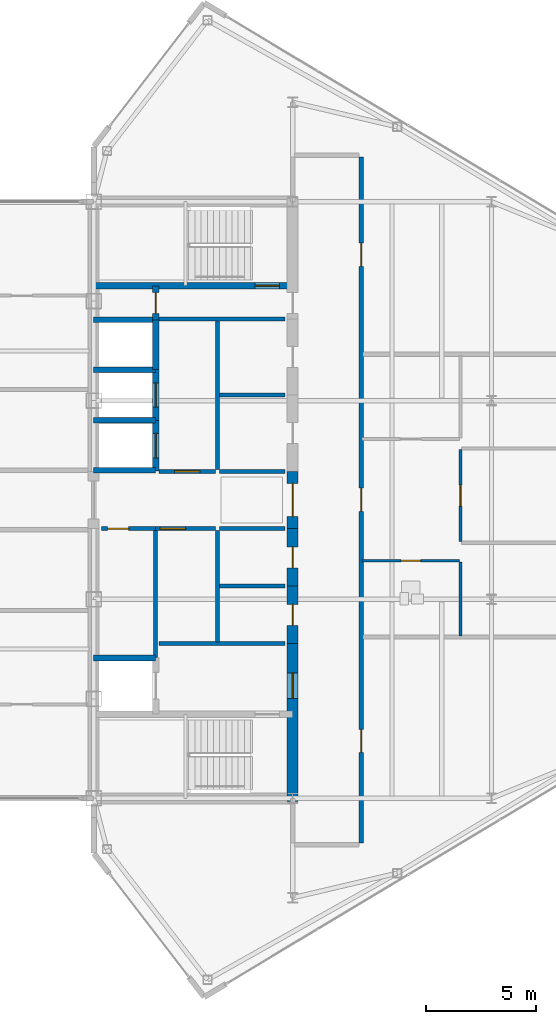
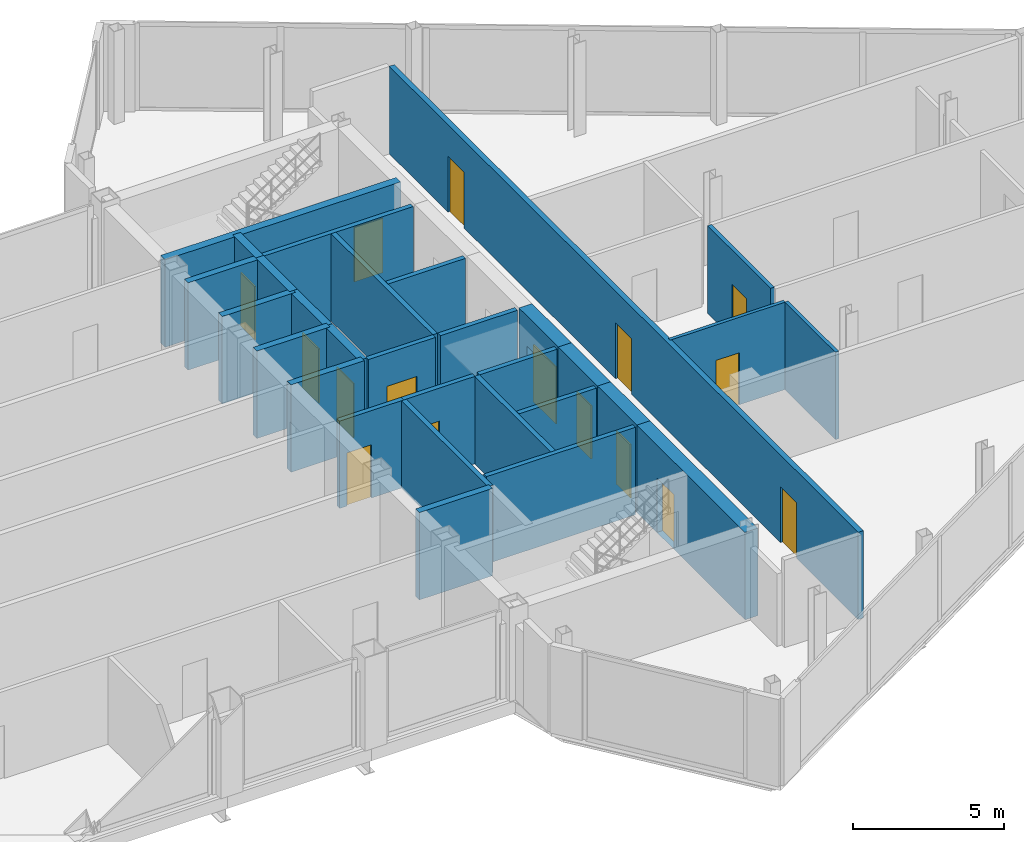
# One storey, part 25 of 29: 30 walls, 16 doors, 16 openings.
"""IFC4 building model written with IfcOpenShell, lengths in metres."""

from ifc_helpers import new_model, si_unit, direction, frame, frame_2d, origin, place, context, subcontext, project, spatial, rectangle, extrude, source, transform, mapped, material, layer, layer_set, type_object, type_shapes, element, fill, save


model = new_model("IFC4")

# Units and contexts
model_context = context("Model", 3, precision=1e-05, world=origin(), true_north=direction((0.0, 1.0)))
body_context = subcontext(model_context, "Body", "Model", "MODEL_VIEW")
ifc_project = project(units=[si_unit("LENGTHUNIT", "METRE"), si_unit("AREAUNIT", "SQUARE_METRE"), si_unit("VOLUMEUNIT", "CUBIC_METRE"), si_unit("PLANEANGLEUNIT", "RADIAN"), si_unit("MASSUNIT", "GRAM", prefix="KILO")], contexts=[model_context])

# Site, building, storey
site_placement = place(None, origin())
site = spatial("IfcSite", under=ifc_project, at=site_placement, CompositionType="ELEMENT")
building_placement = place(site_placement, origin())
building = spatial("IfcBuilding", under=site, at=building_placement, Name="Seokmaru Belvedere", CompositionType="ELEMENT")
storey_placement = place(building_placement, frame((0.0, 0.0, 243.14990234375)))
storey = spatial("IfcBuildingStorey", under=building, at=storey_placement, Name="L64", CompositionType="ELEMENT", Elevation=243.14990234375)

# Wall, opening, door
ifc_material_1 = material(Name="Fire-Rated Gypsum Shaftwall")
ifc_layer_1 = layer(ifc_material_1, 0.14990234375)
ifc_layer_set_1 = layer_set([ifc_layer_1], Name="Fire-Rated Gypsum Shaftwall")
wall_type_1 = type_object("IfcWallType", Name="Apartment Fire-Acoustic Room Partition 150", PredefinedType="PARTITIONING", material=ifc_layer_set_1)
wall_1_placement = place(storey_placement, frame((44.10009765625, -1.883056640625, 0.0), z_axis=(0.0, 0.0, 1.0), x_axis=(0.0, 1.0, 0.0)))
wall_1 = element("IfcWall", 1, at=wall_1_placement, inside=storey, type_object=wall_type_1, Name="L64 Interior Partition 060", PredefinedType="PARTITIONING", context=body_context, shape_type="SweptSolid", body=[
    extrude(rectangle(XDim=4.166015625, YDim=0.14990234375, at=frame_2d((2.0830078125, 0.0))), origin(), (0.0, 0.0, 1.0), 3.530029296875),
])
opening_1_placement = place(wall_1_placement, frame((1.60791015625, 0.0, 0.0)))
opening_1 = element("IfcOpeningElement", 2, at=opening_1_placement, cuts=wall_1, Name="Opening D05", PredefinedType="OPENING", context=body_context, shape_type="SweptSolid", body=[
    extrude(rectangle(XDim=0.949951171875, YDim=2.14990234375, at=frame_2d((0.47509765625, 1.074951171875))), frame((0.0, 0.0849609375, 0.0), z_axis=(0.0, -1.0, 0.0), x_axis=(1.0, 0.0, 0.0)), (0.0, 0.0, 1.0), 0.169921875),
])
ifc_material_2 = material(Name="Engineered White Oak Timber", Category="wood")
door_type_1 = type_object("IfcDoorType", Name="Apartment Interior Fire-Rated Oak Door 950x2150", OperationType="NOTDEFINED", PredefinedType="DOOR", material=ifc_material_2)
shared_shape_1 = source(origin(), body_context, "Body", "SweptSolid", [
    extrude(rectangle(XDim=0.949951171875, YDim=2.14990234375, at=frame_2d((0.47509765625, 1.074951171875))), frame((0.0, 0.02490234375, 0.0), z_axis=(0.0, -1.0, 0.0), x_axis=(1.0, 0.0, 0.0)), (0.0, 0.0, 1.0), 0.050048828125),
])
type_shapes(door_type_1, [shared_shape_1])
door_1_placement = place(opening_1_placement, origin())
door_1 = element("IfcDoor", 3, at=door_1_placement, inside=storey, type_object=door_type_1, Name="L64 Interior Door 016", OperationType="SINGLE_SWING_LEFT", OverallHeight=2.14990234375, OverallWidth=0.949951171875, PredefinedType="DOOR", context=body_context, shape_type="MappedRepresentation", body=[
    mapped(shared_shape_1, transform((0.0, 0.0, 0.0), scale=1.0)),
])
fill(opening_1, door_1)

# Walls
ifc_layer_2 = layer(ifc_material_1, 0.179931640625)
ifc_layer_set_2 = layer_set([ifc_layer_2], Name="Fire-Rated Gypsum Shaftwall")
wall_type_2 = type_object("IfcWallType", Name="Core Service Fire Partition 180", PredefinedType="PARTITIONING", material=ifc_layer_set_2)
for number, where, z_axis, x_axis, name in (
    (4, (30.449951171875, -6.5, 0.0), (0.0, 0.0, 1.0), (1.0, 0.0, 0.0), "L64 East Firefighting Lobby Partition"),
    (5, (30.449951171875, 8.199951171875, 0.0), (0.0, 0.0, 1.0), (1.0, 0.0, 0.0), "L64 East Smokeproof Vestibule Partition"),
):
    element("IfcWall", number, at=place(storey_placement, frame(where, z_axis=z_axis, x_axis=x_axis)), inside=storey, type_object=wall_type_2, Name=name, PredefinedType="PARTITIONING", context=body_context, shape_type="SweptSolid", body=[
        extrude(rectangle(XDim=5.699951171875, YDim=0.179931640625, at=frame_2d((2.85009765625, 0.0))), origin(), (0.0, 0.0, 1.0), 3.530029296875),
    ])
wall_2_placement = place(storey_placement, frame((33.10009765625, -6.419921875, 0.0), z_axis=(0.0, 0.0, 1.0), x_axis=(0.0, 1.0, 0.0)))
element("IfcWall", 6, at=wall_2_placement, inside=storey, type_object=wall_type_2, Name="L64 East South Core Service Back Wall", PredefinedType="PARTITIONING", context=body_context, shape_type="SweptSolid", body=[
    extrude(rectangle(XDim=5.0400390625, YDim=0.179931640625, at=frame_2d((2.52001953125, 0.0))), origin(), (0.0, 0.0, 1.0), 3.530029296875),
])
wall_3_placement = place(storey_placement, frame((33.10009765625, 1.3798828125, 0.0), z_axis=(0.0, 0.0, 1.0), x_axis=(0.0, 1.0, 0.0)))
element("IfcWall", 7, at=wall_3_placement, inside=storey, type_object=wall_type_2, Name="L64 East North Core Service Back Wall", PredefinedType="PARTITIONING", context=body_context, shape_type="SweptSolid", body=[
    extrude(rectangle(XDim=6.740234375, YDim=0.179931640625, at=frame_2d((3.3701171875, 0.0))), origin(), (0.0, 0.0, 1.0), 3.530029296875),
])

# Wall, opening, door
wall_4_placement = place(storey_placement, frame((27.85009765625, -1.300048828125, 0.0), z_axis=(0.0, 0.0, 1.0), x_axis=(1.0, 0.0, 0.0)))
wall_4 = element("IfcWall", 8, at=wall_4_placement, inside=storey, type_object=wall_type_2, Name="L64 East South Parcel Vault Foyer Wall", PredefinedType="PARTITIONING", context=body_context, shape_type="SweptSolid", body=[
    extrude(rectangle(XDim=2.449951171875, YDim=0.179931640625, at=frame_2d((1.22509765625, 0.0))), origin(), (0.0, 0.0, 1.0), 3.530029296875),
])
opening_2_placement = place(wall_4_placement, frame((0.27490234375, 0.0, 0.0)))
opening_2 = element("IfcOpeningElement", 9, at=opening_2_placement, cuts=wall_4, Name="Opening D04", PredefinedType="OPENING", context=body_context, shape_type="SweptSolid", body=[
    extrude(rectangle(XDim=0.949951171875, YDim=2.14990234375, at=frame_2d((0.47509765625, 1.074951171875))), frame((0.0, 0.10009765625, 0.0), z_axis=(0.0, -1.0, 0.0), x_axis=(1.0, 0.0, 0.0)), (0.0, 0.0, 1.0), 0.199951171875),
])
ifc_material_3 = material(Name="Fire-Rated Steel Leaf", Category="steel")
door_type_2 = type_object("IfcDoorType", Name="Core Service Room Fire Door 950x2150", OperationType="NOTDEFINED", PredefinedType="DOOR", material=ifc_material_3)
shared_shape_2 = source(origin(), body_context, "Body", "SweptSolid", [
    extrude(rectangle(XDim=0.949951171875, YDim=2.14990234375, at=frame_2d((0.47509765625, 1.074951171875))), frame((0.0, 0.02490234375, 0.0), z_axis=(0.0, -1.0, 0.0), x_axis=(1.0, 0.0, 0.0)), (0.0, 0.0, 1.0), 0.050048828125),
])
type_shapes(door_type_2, [shared_shape_2])
door_2_placement = place(opening_2_placement, origin())
door_2 = element("IfcDoor", 10, at=door_2_placement, inside=storey, type_object=door_type_2, Name="L64 East South Parcel Vault Door", OperationType="SINGLE_SWING_RIGHT", OverallHeight=2.14990234375, OverallWidth=0.949951171875, PredefinedType="DOOR", context=body_context, shape_type="MappedRepresentation", body=[
    mapped(shared_shape_2, transform((0.0, 0.0, 0.0), scale=1.0)),
])
fill(opening_2, door_2)

wall_5_placement = place(storey_placement, frame((30.300048828125, -1.300048828125, 0.0), z_axis=(0.0, 0.0, 1.0), x_axis=(1.0, 0.0, 0.0)))
wall_5 = element("IfcWall", 11, at=wall_5_placement, inside=storey, type_object=wall_type_2, Name="L64 East South Wine Cellar Foyer Wall", PredefinedType="PARTITIONING", context=body_context, shape_type="SweptSolid", body=[
    extrude(rectangle(XDim=2.719970703125, YDim=0.179931640625, at=frame_2d((1.35986328125, 0.0))), origin(), (0.0, 0.0, 1.0), 3.530029296875),
])
opening_3_placement = place(wall_5_placement, frame((0.2099609375, 0.0, 0.0)))
opening_3 = element("IfcOpeningElement", 12, at=opening_3_placement, cuts=wall_5, Name="Opening D02", PredefinedType="OPENING", context=body_context, shape_type="SweptSolid", body=[
    extrude(rectangle(XDim=1.14990234375, YDim=2.199951171875, at=frame_2d((0.574951171875, 1.10009765625))), frame((0.0, 0.10009765625, 0.0), z_axis=(0.0, -1.0, 0.0), x_axis=(1.0, 0.0, 0.0)), (0.0, 0.0, 1.0), 0.199951171875),
])
door_type_3 = type_object("IfcDoorType", Name="Lobby and Vestibule Fire Door 1150x2200", OperationType="NOTDEFINED", PredefinedType="DOOR", material=ifc_material_3)
shared_shape_3 = source(origin(), body_context, "Body", "SweptSolid", [
    extrude(rectangle(XDim=1.14990234375, YDim=2.199951171875, at=frame_2d((0.574951171875, 1.10009765625))), frame((0.0, 0.02490234375, 0.0), z_axis=(0.0, -1.0, 0.0), x_axis=(1.0, 0.0, 0.0)), (0.0, 0.0, 1.0), 0.050048828125),
])
type_shapes(door_type_3, [shared_shape_3])
door_3_placement = place(opening_3_placement, origin())
door_3 = element("IfcDoor", 13, at=door_3_placement, inside=storey, type_object=door_type_3, Name="L64 East South Core Foyer Door", OperationType="SINGLE_SWING_RIGHT", OverallHeight=2.199951171875, OverallWidth=1.14990234375, PredefinedType="DOOR", context=body_context, shape_type="MappedRepresentation", body=[
    mapped(shared_shape_3, transform((0.0, 0.0, 0.0), scale=1.0)),
])
fill(opening_3, door_3)

# Wall
wall_6_placement = place(storey_placement, frame((30.300048828125, -7.1201171875, 0.0), z_axis=(0.0, 0.0, 1.0), x_axis=(0.0, 1.0, 0.0)))
element("IfcWall", 14, at=wall_6_placement, inside=storey, type_object=wall_type_2, Name="L64 East Freed Shaft Vault Partition", PredefinedType="PARTITIONING", context=body_context, shape_type="SweptSolid", body=[
    extrude(rectangle(XDim=5.740234375, YDim=0.179931640625, at=frame_2d((2.8701171875, 0.0))), origin(), (0.0, 0.0, 1.0), 3.530029296875),
])

# Wall, opening, door
wall_7_placement = place(storey_placement, frame((30.449951171875, 1.300048828125, 0.0), z_axis=(0.0, 0.0, 1.0), x_axis=(1.0, 0.0, 0.0)))
wall_7 = element("IfcWall", 15, at=wall_7_placement, inside=storey, type_object=wall_type_2, Name="L64 East North Lift Lobby Foyer Wall", PredefinedType="PARTITIONING", context=body_context, shape_type="SweptSolid", body=[
    extrude(rectangle(XDim=2.570068359375, YDim=0.179931640625, at=frame_2d((1.28515625, 0.0))), origin(), (0.0, 0.0, 1.0), 3.530029296875),
])
opening_4_placement = place(wall_7_placement, frame((0.7099609375, 0.0, 0.0)))
opening_4 = element("IfcOpeningElement", 16, at=opening_4_placement, cuts=wall_7, Name="Opening D02", PredefinedType="OPENING", context=body_context, shape_type="SweptSolid", body=[
    extrude(rectangle(XDim=1.14990234375, YDim=2.199951171875, at=frame_2d((0.574951171875, 1.10009765625))), frame((0.0, 0.10009765625, 0.0), z_axis=(0.0, -1.0, 0.0), x_axis=(1.0, 0.0, 0.0)), (0.0, 0.0, 1.0), 0.199951171875),
])
door_4_placement = place(opening_4_placement, origin())
door_4 = element("IfcDoor", 17, at=door_4_placement, inside=storey, type_object=door_type_3, Name="L64 East North Lift Lobby Door", OperationType="SINGLE_SWING_LEFT", OverallHeight=2.199951171875, OverallWidth=1.14990234375, PredefinedType="DOOR", context=body_context, shape_type="MappedRepresentation", body=[
    mapped(shared_shape_3, transform((0.0, 0.0, 0.0), scale=1.0)),
])
fill(opening_4, door_4)

# Walls
for number, where, z_axis, x_axis, name in (
    (18, (33.199951171875, -1.300048828125, 0.0), (0.0, 0.0, 1.0), (1.0, 0.0, 0.0), "L64 East Foyer Side Wall S"),
    (19, (33.199951171875, 1.300048828125, 0.0), (0.0, 0.0, 1.0), (1.0, 0.0, 0.0), "L64 East Foyer Side Wall N"),
    (20, (33.199951171875, -3.89990234375, 0.0), (0.0, 0.0, 1.0), (1.0, 0.0, 0.0), "L64 East Core Service Partition 1"),
    (21, (33.199951171875, 4.75, 0.0), (0.0, 0.0, 1.0), (1.0, 0.0, 0.0), "L64 East Core Service Partition 2"),
):
    element("IfcWall", number, at=place(storey_placement, frame(where, z_axis=z_axis, x_axis=x_axis)), inside=storey, type_object=wall_type_2, Name=name, PredefinedType="PARTITIONING", context=body_context, shape_type="SweptSolid", body=[
        extrude(rectangle(XDim=2.949951171875, YDim=0.179931640625, at=frame_2d((1.47509765625, 0.0))), origin(), (0.0, 0.0, 1.0), 3.530029296875),
    ])
ifc_material_4 = material(Name="Concrete C50 (50 MPa)", Category="concrete")
ifc_layer_3 = layer(ifc_material_4, 0.25)
ifc_layer_set_3 = layer_set([ifc_layer_3], Name="Concrete C50 (50 MPa)")
wall_type_3 = type_object("IfcWallType", Name="Hoistway Transverse Concrete Divider Wall 250", PredefinedType="SHEAR", material=ifc_layer_set_3)
for number, where, z_axis, x_axis, name in (
    (22, (27.5, -7.14990234375, 0.0), (0.0, 0.0, 1.0), (1.0, 0.0, 0.0), "L64 East Hoistway Divider Core Wall 1"),
    (23, (27.5, 1.35009765625, 0.0), (0.0, 0.0, 1.0), (1.0, 0.0, 0.0), "L64 East Hoistway Divider Core Wall 2"),
    (24, (27.5, 3.60009765625, 0.0), (0.0, 0.0, 1.0), (1.0, 0.0, 0.0), "L64 East Hoistway Divider Core Wall 3"),
    (25, (27.5, 5.89990234375, 0.0), (0.0, 0.0, 1.0), (1.0, 0.0, 0.0), "L64 East Hoistway Divider Core Wall 4"),
    (26, (27.5, 8.14990234375, 0.0), (0.0, 0.0, 1.0), (1.0, 0.0, 0.0), "L64 East Hoistway Divider Core Wall 5"),
):
    element("IfcWall", number, at=place(storey_placement, frame(where, z_axis=z_axis, x_axis=x_axis)), inside=storey, type_object=wall_type_3, Name=name, PredefinedType="SHEAR", context=body_context, shape_type="SweptSolid", body=[
        extrude(rectangle(XDim=2.800048828125, YDim=0.25, at=frame_2d((1.39990234375, 0.0))), origin(), (0.0, 0.0, 1.0), 3.530029296875),
    ])

# Wall, openings, doors
ifc_layer_4 = layer(ifc_material_1, 0.199951171875)
ifc_layer_set_4 = layer_set([ifc_layer_4], Name="Fire-Rated Gypsum Shaftwall")
wall_type_4 = type_object("IfcWallType", Name="Inter-Tenancy Fire Compartment Partition 200", PredefinedType="PARTITIONING", material=ifc_layer_set_4)
wall_8_placement = place(storey_placement, frame((39.60009765625, -15.514892578125, 0.0), z_axis=(0.0, 0.0, 1.0), x_axis=(0.0, 1.0, 0.0)))
wall_8 = element("IfcWall", 27, at=wall_8_placement, inside=storey, type_object=wall_type_4, Name="L64 Interior Partition 058", PredefinedType="PARTITIONING", context=body_context, shape_type="SweptSolid", body=[
    extrude(rectangle(XDim=31.02978515625, YDim=0.199951171875, at=frame_2d((15.514892578125, 0.0))), origin(), (0.0, 0.0, 1.0), 3.530029296875),
])
opening_5_placement = place(wall_8_placement, frame((4.090087890625, 0.0, 0.0)))
opening_5 = element("IfcOpeningElement", 28, at=opening_5_placement, cuts=wall_8, Name="Opening D03", PredefinedType="OPENING", context=body_context, shape_type="SweptSolid", body=[
    extrude(rectangle(XDim=1.050048828125, YDim=2.25, at=frame_2d((0.52490234375, 1.125))), frame((0.0, 0.10986328125, 0.0), z_axis=(0.0, -1.0, 0.0), x_axis=(1.0, 0.0, 0.0)), (0.0, 0.0, 1.0), 0.219970703125),
])
opening_6_placement = place(wall_8_placement, frame((14.998046875, 0.0, 0.0)))
opening_6 = element("IfcOpeningElement", 29, at=opening_6_placement, cuts=wall_8, Name="Opening D03", PredefinedType="OPENING", context=body_context, shape_type="SweptSolid", body=[
    extrude(rectangle(XDim=1.050048828125, YDim=2.25, at=frame_2d((0.52490234375, 1.125))), frame((0.0, 0.10986328125, 0.0), z_axis=(0.0, -1.0, 0.0), x_axis=(1.0, 0.0, 0.0)), (0.0, 0.0, 1.0), 0.219970703125),
])
opening_7_placement = place(wall_8_placement, frame((26.090087890625, 0.0, 0.0)))
opening_7 = element("IfcOpeningElement", 30, at=opening_7_placement, cuts=wall_8, Name="Opening D03", PredefinedType="OPENING", context=body_context, shape_type="SweptSolid", body=[
    extrude(rectangle(XDim=1.050048828125, YDim=2.25, at=frame_2d((0.52490234375, 1.125))), frame((0.0, 0.10986328125, 0.0), z_axis=(0.0, -1.0, 0.0), x_axis=(1.0, 0.0, 0.0)), (0.0, 0.0, 1.0), 0.219970703125),
])
door_type_4 = type_object("IfcDoorType", Name="Apartment Entrance Fire Door 1050x2250", OperationType="NOTDEFINED", PredefinedType="DOOR", material=ifc_material_3)
shared_shape_4 = source(origin(), body_context, "Body", "SweptSolid", [
    extrude(rectangle(XDim=1.050048828125, YDim=2.25, at=frame_2d((0.52490234375, 1.125))), frame((0.0, 0.02490234375, 0.0), z_axis=(0.0, -1.0, 0.0), x_axis=(1.0, 0.0, 0.0)), (0.0, 0.0, 1.0), 0.050048828125),
])
type_shapes(door_type_4, [shared_shape_4])
door_5_placement = place(opening_5_placement, origin())
door_5 = element("IfcDoor", 31, at=door_5_placement, inside=storey, type_object=door_type_4, Name="L64 Interior Door 012", OperationType="SINGLE_SWING_LEFT", OverallHeight=2.25, OverallWidth=1.050048828125, PredefinedType="DOOR", context=body_context, shape_type="MappedRepresentation", body=[
    mapped(shared_shape_4, transform((0.0, 0.0, 0.0), scale=1.0)),
])
fill(opening_5, door_5)
door_6_placement = place(opening_6_placement, origin())
door_6 = element("IfcDoor", 32, at=door_6_placement, inside=storey, type_object=door_type_4, Name="L64 Interior Door 013", OperationType="SINGLE_SWING_RIGHT", OverallHeight=2.25, OverallWidth=1.050048828125, PredefinedType="DOOR", context=body_context, shape_type="MappedRepresentation", body=[
    mapped(shared_shape_4, transform((0.0, 0.0, 0.0), scale=1.0)),
])
fill(opening_6, door_6)
door_7_placement = place(opening_7_placement, origin())
door_7 = element("IfcDoor", 33, at=door_7_placement, inside=storey, type_object=door_type_4, Name="L64 Interior Door 022", OperationType="SINGLE_SWING_LEFT", OverallHeight=2.25, OverallWidth=1.050048828125, PredefinedType="DOOR", context=body_context, shape_type="MappedRepresentation", body=[
    mapped(shared_shape_4, transform((0.0, 0.0, 0.0), scale=1.0)),
])
fill(opening_7, door_7)

# Wall, opening, door
ifc_layer_5 = layer(ifc_material_4, 0.300048828125)
ifc_layer_set_5 = layer_set([ifc_layer_5], Name="Concrete C50 (50 MPa)")
wall_type_5 = type_object("IfcWallType", Name="Internal Core Stair and Hoistway Wall 300", PredefinedType="SHEAR", material=ifc_layer_set_5)
wall_9_placement = place(storey_placement, frame((27.5, 9.699951171875, 0.0), z_axis=(0.0, 0.0, 1.0), x_axis=(1.0, 0.0, 0.0)))
wall_9 = element("IfcWall", 34, at=wall_9_placement, inside=storey, type_object=wall_type_5, Name="L64 East Stair ST-2 Enclosure Wall", PredefinedType="SHEAR", context=body_context, shape_type="SweptSolid", body=[
    extrude(rectangle(XDim=9.0, YDim=0.300048828125, at=frame_2d((4.5, 0.0))), origin(), (0.0, 0.0, 1.0), 3.530029296875),
])
opening_8_placement = place(wall_9_placement, frame((7.300048828125, 0.0, 0.0)))
opening_8 = element("IfcOpeningElement", 35, at=opening_8_placement, cuts=wall_9, Name="Opening D01", PredefinedType="OPENING", context=body_context, shape_type="SweptSolid", body=[
    extrude(rectangle(XDim=1.10009765625, YDim=2.199951171875, at=frame_2d((0.550048828125, 1.10009765625))), frame((0.0, 0.16015625, 0.0), z_axis=(0.0, -1.0, 0.0), x_axis=(1.0, 0.0, 0.0)), (0.0, 0.0, 1.0), 0.320068359375),
])
door_type_5 = type_object("IfcDoorType", Name="Special Escape Stair Smokeproof Fire Door 1100x2200", OperationType="NOTDEFINED", PredefinedType="DOOR", material=ifc_material_3)
shared_shape_5 = source(origin(), body_context, "Body", "SweptSolid", [
    extrude(rectangle(XDim=1.10009765625, YDim=2.199951171875, at=frame_2d((0.550048828125, 1.10009765625))), frame((0.0, 0.02490234375, 0.0), z_axis=(0.0, -1.0, 0.0), x_axis=(1.0, 0.0, 0.0)), (0.0, 0.0, 1.0), 0.050048828125),
])
type_shapes(door_type_5, [shared_shape_5])
door_8_placement = place(opening_8_placement, origin())
door_8 = element("IfcDoor", 36, at=door_8_placement, inside=storey, type_object=door_type_5, Name="L64 East Special Escape Stair ST-2 Door", OperationType="SINGLE_SWING_LEFT", OverallHeight=2.199951171875, OverallWidth=1.10009765625, PredefinedType="DOOR", context=body_context, shape_type="MappedRepresentation", body=[
    mapped(shared_shape_5, transform((0.0, 0.0, 0.0), scale=1.0)),
])
fill(opening_8, door_8)

wall_10_placement = place(storey_placement, frame((30.300048828125, 1.320068359375, 0.0), z_axis=(0.0, 0.0, 1.0), x_axis=(0.0, 1.0, 0.0)))
wall_10 = element("IfcWall", 37, at=wall_10_placement, inside=storey, type_object=wall_type_5, Name="L64 East North Hoistway Wall PH1", PredefinedType="SHEAR", context=body_context, shape_type="SweptSolid", body=[
    extrude(rectangle(XDim=2.280029296875, YDim=0.300048828125, at=frame_2d((1.14013671875, 0.0))), origin(), (0.0, 0.0, 1.0), 3.530029296875),
])
opening_9_placement = place(wall_10_placement, frame((0.590087890625, 0.0, 0.0)))
opening_9 = element("IfcOpeningElement", 38, at=opening_9_placement, cuts=wall_10, Name="Opening LD1", PredefinedType="OPENING", context=body_context, shape_type="SweptSolid", body=[
    extrude(rectangle(XDim=1.10009765625, YDim=2.199951171875, at=frame_2d((0.550048828125, 1.10009765625))), frame((0.0, 0.16015625, 0.0), z_axis=(0.0, -1.0, 0.0), x_axis=(1.0, 0.0, 0.0)), (0.0, 0.0, 1.0), 0.320068359375),
])
ifc_material_5 = material(Name="Stainless Steel 316", Category="steel")
door_type_6 = type_object("IfcDoorType", Name="Passenger Lift Sliding Landing Door 1100x2200", OperationType="DOUBLE_DOOR_SLIDING", PredefinedType="DOOR", material=ifc_material_5)
shared_shape_6 = source(origin(), body_context, "Body", "SweptSolid", [
    extrude(rectangle(XDim=1.10009765625, YDim=2.199951171875, at=frame_2d((0.550048828125, 1.10009765625))), frame((0.0, 0.02490234375, 0.0), z_axis=(0.0, -1.0, 0.0), x_axis=(1.0, 0.0, 0.0)), (0.0, 0.0, 1.0), 0.050048828125),
])
type_shapes(door_type_6, [shared_shape_6])
door_9_placement = place(opening_9_placement, origin())
door_9 = element("IfcDoor", 39, at=door_9_placement, inside=storey, type_object=door_type_6, Name="L64 East High-Rise Lift PH-1 Landing Door", OperationType="DOUBLE_DOOR_SLIDING", OverallHeight=2.199951171875, OverallWidth=1.10009765625, PredefinedType="DOOR", context=body_context, shape_type="MappedRepresentation", body=[
    mapped(shared_shape_6, transform((0.0, 0.0, 0.0), scale=1.0)),
])
fill(opening_9, door_9)

wall_11_placement = place(storey_placement, frame((30.300048828125, 3.60009765625, 0.0), z_axis=(0.0, 0.0, 1.0), x_axis=(0.0, 1.0, 0.0)))
wall_11 = element("IfcWall", 40, at=wall_11_placement, inside=storey, type_object=wall_type_5, Name="L64 East North Hoistway Wall PH2", PredefinedType="SHEAR", context=body_context, shape_type="SweptSolid", body=[
    extrude(rectangle(XDim=2.2998046875, YDim=0.300048828125, at=frame_2d((1.14990234375, 0.0))), origin(), (0.0, 0.0, 1.0), 3.530029296875),
])
opening_10_placement = place(wall_11_placement, frame((0.60009765625, 0.0, 0.0)))
opening_10 = element("IfcOpeningElement", 41, at=opening_10_placement, cuts=wall_11, Name="Opening LD1", PredefinedType="OPENING", context=body_context, shape_type="SweptSolid", body=[
    extrude(rectangle(XDim=1.10009765625, YDim=2.199951171875, at=frame_2d((0.550048828125, 1.10009765625))), frame((0.0, 0.16015625, 0.0), z_axis=(0.0, -1.0, 0.0), x_axis=(1.0, 0.0, 0.0)), (0.0, 0.0, 1.0), 0.320068359375),
])
door_10_placement = place(opening_10_placement, origin())
door_10 = element("IfcDoor", 42, at=door_10_placement, inside=storey, type_object=door_type_6, Name="L64 East High-Rise Lift PH-2 Landing Door", OperationType="DOUBLE_DOOR_SLIDING", OverallHeight=2.199951171875, OverallWidth=1.10009765625, PredefinedType="DOOR", context=body_context, shape_type="MappedRepresentation", body=[
    mapped(shared_shape_6, transform((0.0, 0.0, 0.0), scale=1.0)),
])
fill(opening_10, door_10)

# Wall
wall_12_placement = place(storey_placement, frame((30.300048828125, 5.89990234375, 0.0), z_axis=(0.0, 0.0, 1.0), x_axis=(0.0, 1.0, 0.0)))
element("IfcWall", 43, at=wall_12_placement, inside=storey, type_object=wall_type_5, Name="L64 East North Hoistway Wall OBS", PredefinedType="SHEAR", context=body_context, shape_type="SweptSolid", body=[
    extrude(rectangle(XDim=2.25, YDim=0.300048828125, at=frame_2d((1.125, 0.0))), origin(), (0.0, 0.0, 1.0), 3.530029296875),
])

# Wall, opening, door
wall_13_placement = place(storey_placement, frame((30.300048828125, 8.14990234375, 0.0), z_axis=(0.0, 0.0, 1.0), x_axis=(0.0, 1.0, 0.0)))
wall_13 = element("IfcWall", 44, at=wall_13_placement, inside=storey, type_object=wall_type_5, Name="L64 East Electrical Riser Front Wall", PredefinedType="SHEAR", context=body_context, shape_type="SweptSolid", body=[
    extrude(rectangle(XDim=1.530029296875, YDim=0.300048828125, at=frame_2d((0.76513671875, 0.0))), origin(), (0.0, 0.0, 1.0), 3.530029296875),
])
opening_11_placement = place(wall_13_placement, frame((0.284912109375, 0.0, 0.0)))
opening_11 = element("IfcOpeningElement", 45, at=opening_11_placement, cuts=wall_13, Name="Opening D04", PredefinedType="OPENING", context=body_context, shape_type="SweptSolid", body=[
    extrude(rectangle(XDim=0.949951171875, YDim=2.14990234375, at=frame_2d((0.47509765625, 1.074951171875))), frame((0.0, 0.16015625, 0.0), z_axis=(0.0, -1.0, 0.0), x_axis=(1.0, 0.0, 0.0)), (0.0, 0.0, 1.0), 0.320068359375),
])
door_11_placement = place(opening_11_placement, origin())
door_11 = element("IfcDoor", 46, at=door_11_placement, inside=storey, type_object=door_type_2, Name="L64 East Electrical Riser Access Door", OperationType="SINGLE_SWING_RIGHT", OverallHeight=2.14990234375, OverallWidth=0.949951171875, PredefinedType="DOOR", context=body_context, shape_type="MappedRepresentation", body=[
    mapped(shared_shape_2, transform((0.0, 0.0, 0.0), scale=1.0)),
])
fill(opening_11, door_11)

ifc_layer_6 = layer(ifc_material_1, 0.1298828125)
ifc_layer_set_6 = layer_set([ifc_layer_6], Name="Fire-Rated Gypsum Shaftwall")
wall_type_6 = type_object("IfcWallType", Name="Moisture-Resistant Fire-Rated Bathroom Partition 130", PredefinedType="PARTITIONING", material=ifc_layer_set_6)
wall_14_placement = place(storey_placement, frame((39.64990234375, -2.75, 0.0), z_axis=(0.0, 0.0, 1.0), x_axis=(1.0, 0.0, 0.0)))
wall_14 = element("IfcWall", 47, at=wall_14_placement, inside=storey, type_object=wall_type_6, Name="L64 Interior Partition 012", PredefinedType="PARTITIONING", context=body_context, shape_type="SweptSolid", body=[
    extrude(rectangle(XDim=4.400146484375, YDim=0.1298828125, at=frame_2d((2.2001953125, 0.0))), origin(), (0.0, 0.0, 1.0), 3.530029296875),
])
opening_12_placement = place(wall_14_placement, frame((1.760009765625, 0.0, 0.0)))
opening_12 = element("IfcOpeningElement", 48, at=opening_12_placement, cuts=wall_14, Name="Opening D06", PredefinedType="OPENING", context=body_context, shape_type="SweptSolid", body=[
    extrude(rectangle(XDim=0.8798828125, YDim=2.10009765625, at=frame_2d((0.43994140625, 1.050048828125))), frame((0.0, 0.074951171875, 0.0), z_axis=(0.0, -1.0, 0.0), x_axis=(1.0, 0.0, 0.0)), (0.0, 0.0, 1.0), 0.14990234375),
])
door_type_7 = type_object("IfcDoorType", Name="Bathroom and Restroom Fire-Rated Door 880x2100", OperationType="NOTDEFINED", PredefinedType="DOOR", material=ifc_material_2)
shared_shape_7 = source(origin(), body_context, "Body", "SweptSolid", [
    extrude(rectangle(XDim=0.8798828125, YDim=2.10009765625, at=frame_2d((0.43994140625, 1.050048828125))), frame((0.0, 0.02490234375, 0.0), z_axis=(0.0, -1.0, 0.0), x_axis=(1.0, 0.0, 0.0)), (0.0, 0.0, 1.0), 0.050048828125),
])
type_shapes(door_type_7, [shared_shape_7])
door_12_placement = place(opening_12_placement, origin())
door_12 = element("IfcDoor", 49, at=door_12_placement, inside=storey, type_object=door_type_7, Name="L64 Interior Door 014", OperationType="SINGLE_SWING_RIGHT", OverallHeight=2.10009765625, OverallWidth=0.8798828125, PredefinedType="DOOR", context=body_context, shape_type="MappedRepresentation", body=[
    mapped(shared_shape_7, transform((0.0, 0.0, 0.0), scale=1.0)),
])
fill(opening_12, door_12)

# Wall
wall_15_placement = place(storey_placement, frame((44.10009765625, -6.14990234375, 0.0), z_axis=(0.0, 0.0, 1.0), x_axis=(0.0, 1.0, 0.0)))
element("IfcWall", 50, at=wall_15_placement, inside=storey, type_object=wall_type_6, Name="L64 Interior Partition 059", PredefinedType="PARTITIONING", context=body_context, shape_type="SweptSolid", body=[
    extrude(rectangle(XDim=3.35400390625, YDim=0.1298828125, at=frame_2d((1.677001953125, 0.0))), origin(), (0.0, 0.0, 1.0), 3.530029296875),
])

# Wall, opening, door
ifc_layer_7 = layer(ifc_material_4, 0.5)
ifc_layer_set_7 = layer_set([ifc_layer_7], Name="Concrete C50 (50 MPa)")
wall_type_7 = type_object("IfcWallType", Name="Upper Tower Reinforced Concrete Core Wall 500", PredefinedType="SHEAR", material=ifc_layer_set_7)
wall_16_placement = place(storey_placement, frame((36.5, -13.64990234375, 0.0), z_axis=(0.0, 0.0, 1.0), x_axis=(0.0, 1.0, 0.0)))
wall_16 = element("IfcWall", 51, at=wall_16_placement, inside=storey, type_object=wall_type_7, Name="L64 East West Core Wall FF", PredefinedType="SHEAR", context=body_context, shape_type="SweptSolid", body=[
    extrude(rectangle(XDim=7.14990234375, YDim=0.5, at=frame_2d((3.574951171875, 0.0))), origin(), (0.0, 0.0, 1.0), 3.530029296875),
])
opening_13_placement = place(wall_16_placement, frame((4.675048828125, 0.0, 0.0)))
opening_13 = element("IfcOpeningElement", 52, at=opening_13_placement, cuts=wall_16, Name="Opening D02", PredefinedType="OPENING", context=body_context, shape_type="SweptSolid", body=[
    extrude(rectangle(XDim=1.14990234375, YDim=2.199951171875, at=frame_2d((0.574951171875, 1.10009765625))), frame((0.0, 0.260009765625, 0.0), z_axis=(0.0, -1.0, 0.0), x_axis=(1.0, 0.0, 0.0)), (0.0, 0.0, 1.0), 0.52001953125),
])
door_13_placement = place(opening_13_placement, origin())
door_13 = element("IfcDoor", 53, at=door_13_placement, inside=storey, type_object=door_type_3, Name="L64 East Firefighting Lobby Door", OperationType="SINGLE_SWING_RIGHT", OverallHeight=2.199951171875, OverallWidth=1.14990234375, PredefinedType="DOOR", context=body_context, shape_type="MappedRepresentation", body=[
    mapped(shared_shape_3, transform((0.0, 0.0, 0.0), scale=1.0)),
])
fill(opening_13, door_13)

wall_17_placement = place(storey_placement, frame((36.5, -1.300048828125, 0.0), z_axis=(0.0, 0.0, 1.0), x_axis=(0.0, 1.0, 0.0)))
wall_17 = element("IfcWall", 54, at=wall_17_placement, inside=storey, type_object=wall_type_7, Name="L64 East West Core Wall FOY", PredefinedType="SHEAR", context=body_context, shape_type="SweptSolid", body=[
    extrude(rectangle(XDim=2.60009765625, YDim=0.5, at=frame_2d((1.300048828125, 0.0))), origin(), (0.0, 0.0, 1.0), 3.530029296875),
])
opening_14_placement = place(wall_17_placement, frame((0.550048828125, 0.0, 0.0)))
opening_14 = element("IfcOpeningElement", 55, at=opening_14_placement, cuts=wall_17, Name="Opening D08", PredefinedType="OPENING", context=body_context, shape_type="SweptSolid", body=[
    extrude(rectangle(XDim=1.5, YDim=2.300048828125, at=frame_2d((0.75, 1.14990234375))), frame((0.0, 0.260009765625, 0.0), z_axis=(0.0, -1.0, 0.0), x_axis=(1.0, 0.0, 0.0)), (0.0, 0.0, 1.0), 0.52001953125),
])
door_type_8 = type_object("IfcDoorType", Name="Cross-Corridor Compartment Double Fire Door 1500x2300", OperationType="DOUBLE_SWING_LEFT", PredefinedType="DOOR", material=ifc_material_3)
shared_shape_8 = source(origin(), body_context, "Body", "SweptSolid", [
    extrude(rectangle(XDim=1.5, YDim=2.300048828125, at=frame_2d((0.75, 1.14990234375))), frame((0.0, 0.02490234375, 0.0), z_axis=(0.0, -1.0, 0.0), x_axis=(1.0, 0.0, 0.0)), (0.0, 0.0, 1.0), 0.050048828125),
])
type_shapes(door_type_8, [shared_shape_8])
door_14_placement = place(opening_14_placement, origin())
door_14 = element("IfcDoor", 56, at=door_14_placement, inside=storey, type_object=door_type_8, Name="L64 East Core Foyer Compartment Door", OperationType="DOUBLE_SWING_LEFT", OverallHeight=2.300048828125, OverallWidth=1.5, PredefinedType="DOOR", context=body_context, shape_type="MappedRepresentation", body=[
    mapped(shared_shape_8, transform((0.0, 0.0, 0.0), scale=1.0)),
])
fill(opening_14, door_14)

wall_18_placement = place(storey_placement, frame((36.5, -6.5, 0.0), z_axis=(0.0, 0.0, 1.0), x_axis=(0.0, 1.0, 0.0)))
wall_18 = element("IfcWall", 57, at=wall_18_placement, inside=storey, type_object=wall_type_7, Name="L64 East West Core Wall CS1", PredefinedType="SHEAR", context=body_context, shape_type="SweptSolid", body=[
    extrude(rectangle(XDim=2.60009765625, YDim=0.5, at=frame_2d((1.300048828125, 0.0))), origin(), (0.0, 0.0, 1.0), 3.530029296875),
])
opening_15_placement = place(wall_18_placement, frame((0.824951171875, 0.0, 0.0)))
opening_15 = element("IfcOpeningElement", 58, at=opening_15_placement, cuts=wall_18, Name="Opening D04", PredefinedType="OPENING", context=body_context, shape_type="SweptSolid", body=[
    extrude(rectangle(XDim=0.949951171875, YDim=2.14990234375, at=frame_2d((0.47509765625, 1.074951171875))), frame((0.0, 0.260009765625, 0.0), z_axis=(0.0, -1.0, 0.0), x_axis=(1.0, 0.0, 0.0)), (0.0, 0.0, 1.0), 0.52001953125),
])
door_15_placement = place(opening_15_placement, origin())
door_15 = element("IfcDoor", 59, at=door_15_placement, inside=storey, type_object=door_type_2, Name="L64 East Core Service Room Door 1", OperationType="SINGLE_SWING_RIGHT", OverallHeight=2.14990234375, OverallWidth=0.949951171875, PredefinedType="DOOR", context=body_context, shape_type="MappedRepresentation", body=[
    mapped(shared_shape_2, transform((0.0, 0.0, 0.0), scale=1.0)),
])
fill(opening_15, door_15)

wall_19_placement = place(storey_placement, frame((36.5, -3.89990234375, 0.0), z_axis=(0.0, 0.0, 1.0), x_axis=(0.0, 1.0, 0.0)))
wall_19 = element("IfcWall", 60, at=wall_19_placement, inside=storey, type_object=wall_type_7, Name="L64 East West Core Wall CS2", PredefinedType="SHEAR", context=body_context, shape_type="SweptSolid", body=[
    extrude(rectangle(XDim=2.599853515625, YDim=0.5, at=frame_2d((1.2998046875, 0.0))), origin(), (0.0, 0.0, 1.0), 3.530029296875),
])
opening_16_placement = place(wall_19_placement, frame((0.824951171875, 0.0, 0.0)))
opening_16 = element("IfcOpeningElement", 61, at=opening_16_placement, cuts=wall_19, Name="Opening D04", PredefinedType="OPENING", context=body_context, shape_type="SweptSolid", body=[
    extrude(rectangle(XDim=0.949951171875, YDim=2.14990234375, at=frame_2d((0.47509765625, 1.074951171875))), frame((0.0, 0.260009765625, 0.0), z_axis=(0.0, -1.0, 0.0), x_axis=(1.0, 0.0, 0.0)), (0.0, 0.0, 1.0), 0.52001953125),
])
door_16_placement = place(opening_16_placement, origin())
door_16 = element("IfcDoor", 62, at=door_16_placement, inside=storey, type_object=door_type_2, Name="L64 East Core Service Room Door 2", OperationType="SINGLE_SWING_LEFT", OverallHeight=2.14990234375, OverallWidth=0.949951171875, PredefinedType="DOOR", context=body_context, shape_type="MappedRepresentation", body=[
    mapped(shared_shape_2, transform((0.0, 0.0, 0.0), scale=1.0)),
])
fill(opening_16, door_16)

save(model, "model.ifc")
